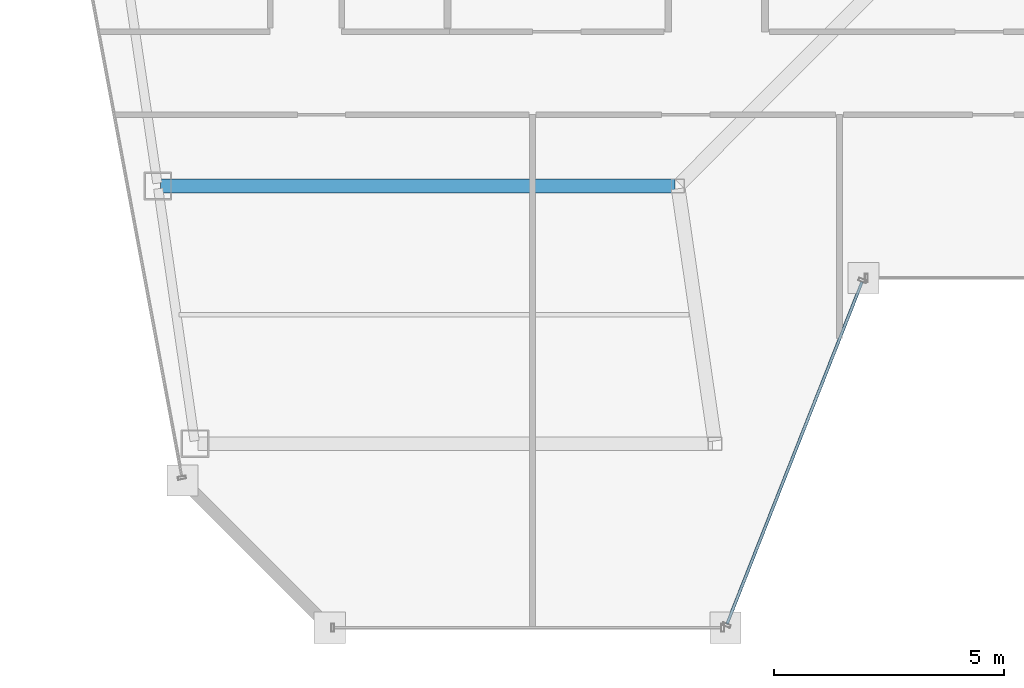
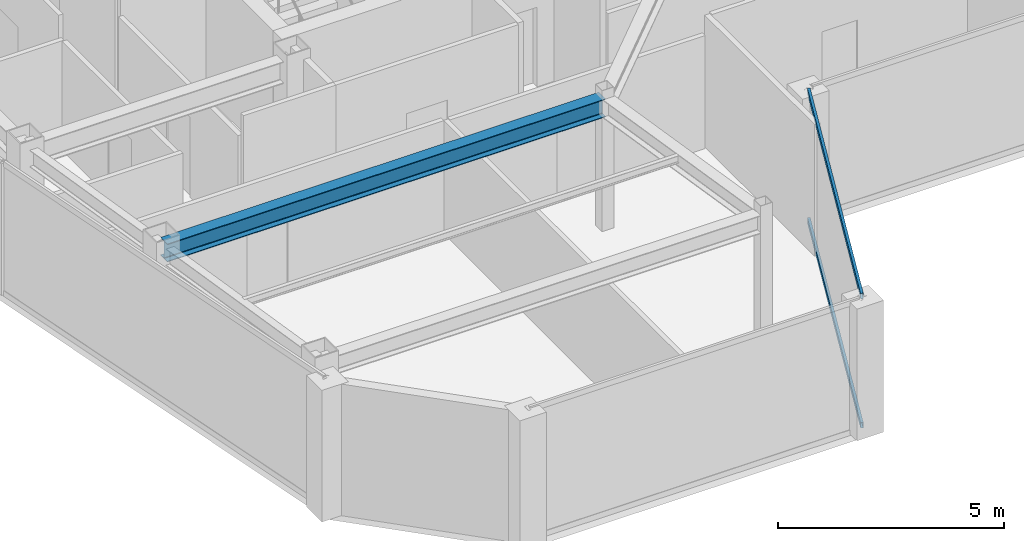
# One storey, part 5 of 23: 2 members, 1 beam, 1 element without a shape of its own.
"""IFC4 building model written with IfcOpenShell, lengths in metres."""

from ifc_helpers import new_model, si_unit, direction, frame, origin, origin_2d, place, context, subcontext, project, spatial, hollow_rectangle, i_section, extrude, material, material_profile, profile_set, type_object, element, aggregate, save


model = new_model("IFC4")

# Units and contexts
model_context = context("Model", 3, precision=1e-05, world=origin(), true_north=direction((0.0, 1.0)))
body_context = subcontext(model_context, "Body", "Model", "MODEL_VIEW")
ifc_project = project(units=[si_unit("LENGTHUNIT", "METRE"), si_unit("AREAUNIT", "SQUARE_METRE"), si_unit("VOLUMEUNIT", "CUBIC_METRE"), si_unit("PLANEANGLEUNIT", "RADIAN"), si_unit("MASSUNIT", "GRAM", prefix="KILO")], contexts=[model_context])

# Site, building, storey
site_placement = place(None, origin())
site = spatial("IfcSite", under=ifc_project, at=site_placement, CompositionType="ELEMENT")
building_placement = place(site_placement, origin())
building = spatial("IfcBuilding", under=site, at=building_placement, Name="Saevonmaru Cultural Tower", CompositionType="ELEMENT")
storey_placement = place(building_placement, frame((0.0, 0.0, 283.800048828125)))
storey = spatial("IfcBuildingStorey", under=building, at=storey_placement, Name="L67", CompositionType="ELEMENT", Elevation=283.800048828125)

# Beam
ifc_material_1 = material(Name="Steel SM355", Category="steel")
ifc_material_profile_1 = material_profile(ifc_material_1, i_section(OverallWidth=0.300048828125, OverallDepth=0.488037109375, WebThickness=0.010986328125, FlangeThickness=0.01806640625, FilletRadius=0.02197265625, at=origin_2d()), Name="H-488x300x11x18")
ifc_profile_set_1 = profile_set([ifc_material_profile_1], Name="Steel SM355")
beam_type = type_object("IfcBeamType", Name="BM-G-H488", PredefinedType="BEAM", material=ifc_profile_set_1)
beam_placement = place(storey_placement, frame((7.568115234375, 37.60009765625, 3.305908203125), z_axis=(1.0, 0.0, 0.0), x_axis=(0.0, 1.0, 0.0)))
element("IfcBeam", 1, at=beam_placement, inside=storey, type_object=beam_type, Name="L67 West Wing Transverse Girder 2", PredefinedType="BEAM", context=body_context, shape_type="SweptSolid", body=[
    extrude(i_section(OverallWidth=0.300048828125, OverallDepth=0.488037109375, WebThickness=0.010986328125, FlangeThickness=0.01806640625, FilletRadius=0.02197265625, at=origin_2d()), origin(), (0.0, 0.0, 1.0), 11.179931640625),
])

# Curtain wall, members
ifc_material_2 = material(Name="Satin Bronze Anodised Aluminium", Category="aluminium")
curtain_wall_type = type_object("IfcCurtainWallType", Name="CW-TYP-B", PredefinedType="NOTDEFINED", material=ifc_material_2)
curtain_wall_placement = place(storey_placement, origin())
curtain_wall = element("IfcCurtainWall", 2, at=curtain_wall_placement, inside=storey, type_object=curtain_wall_type, Name="L67 Unitised Curtain Wall E3", PredefinedType="NOTDEFINED")
ifc_material_profile_2 = material_profile(ifc_material_2, hollow_rectangle(XDim=0.06494140625, YDim=0.14990234375, WallThickness=0.00390625, at=origin_2d()), Name="ALU-TRAN-150x65x4")
ifc_profile_set_2 = profile_set([ifc_material_profile_2], Name="Satin Bronze Anodised Aluminium")
member_type = type_object("IfcMemberType", Name="TR-CW-150x65", PredefinedType="USERDEFINED", material=ifc_profile_set_2)
member_1_placement = place(storey_placement, frame((19.87841796875, 28.0859375, 0.032470703125), z_axis=(0.367170015072, 0.930153847507, 0.0), x_axis=(-0.930153847507, 0.367170015072, 0.0)))
member_1 = element("IfcMember", 3, at=member_1_placement, type_object=member_type, Name="CW-TW-L67-E3 transom 1.1", ObjectType="TRANSOM", PredefinedType="USERDEFINED", context=body_context, shape_type="SweptSolid", body=[
    extrude(hollow_rectangle(XDim=0.06494140625, YDim=0.14990234375, WallThickness=0.00390625, at=origin_2d()), origin(), (0.0, 0.0, 1.0), 7.98583984375),
])
member_2_placement = place(storey_placement, frame((19.87841796875, 28.0859375, 3.517333984375), z_axis=(0.367170015072, 0.930153847507, 0.0), x_axis=(-0.930153847507, 0.367170015072, 0.0)))
member_2 = element("IfcMember", 4, at=member_2_placement, type_object=member_type, Name="CW-TW-L67-E3 transom 1.2", ObjectType="TRANSOM", PredefinedType="USERDEFINED", context=body_context, shape_type="SweptSolid", body=[
    extrude(hollow_rectangle(XDim=0.06494140625, YDim=0.14990234375, WallThickness=0.00390625, at=origin_2d()), origin(), (0.0, 0.0, 1.0), 7.98583984375),
])
aggregate(curtain_wall, [member_1, member_2])

save(model, "model.ifc")
